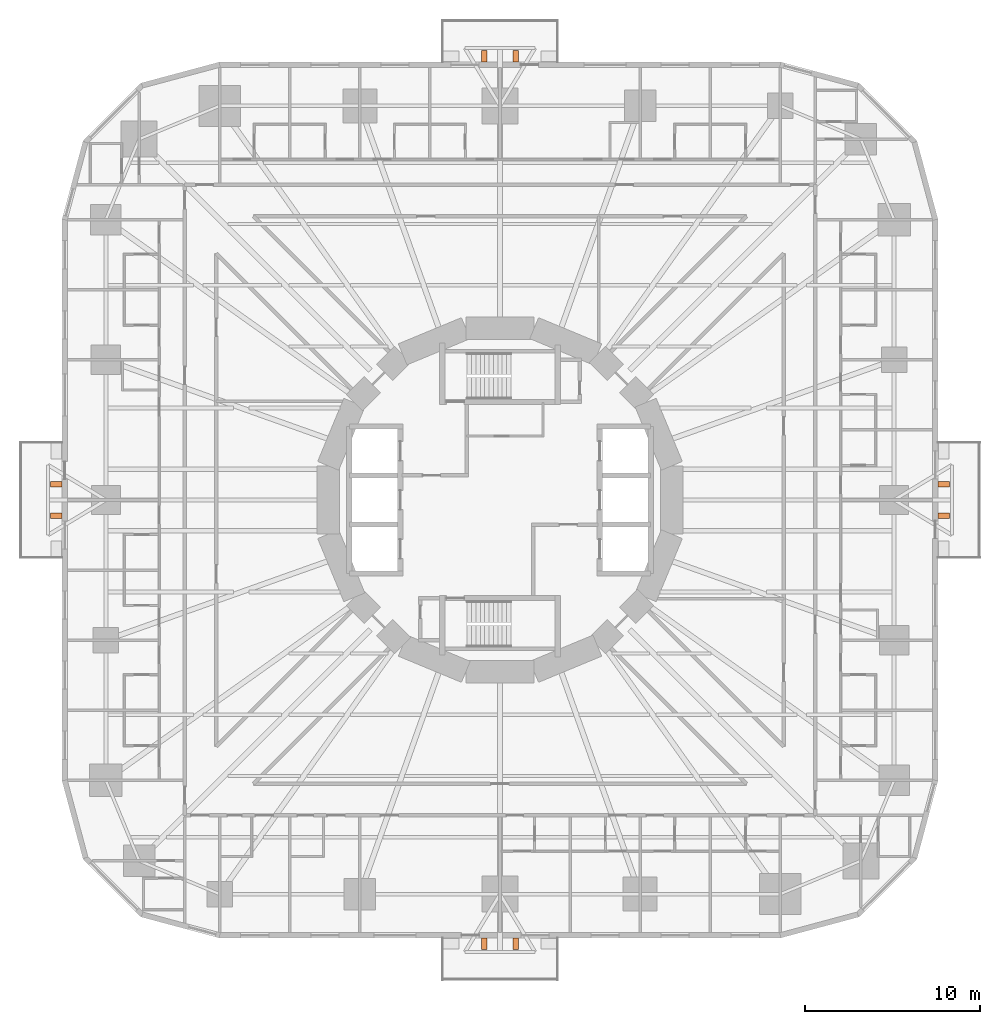
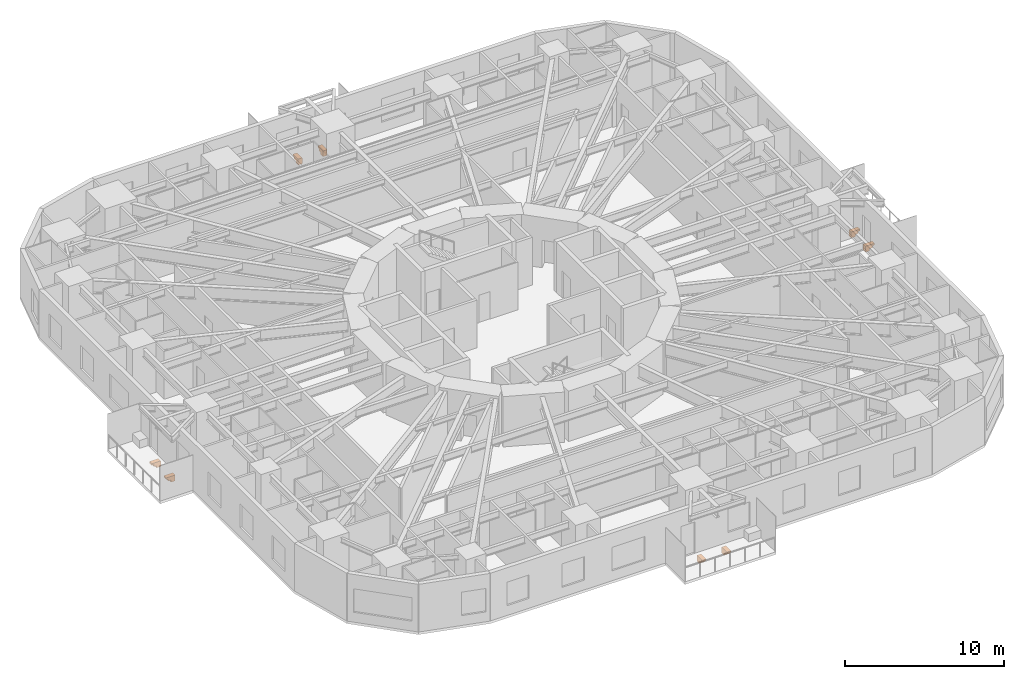
# One storey, part 14 of 14: 8 proxies.
"""IFC4 building model written with IfcOpenShell, lengths in metres."""

from ifc_helpers import new_model, si_unit, direction, frame, origin, place, context, subcontext, project, spatial, polyline, outline, extrude, material, type_object, element, save


model = new_model("IFC4")

# Units and contexts
model_context = context("Model", 3, precision=1e-05, world=origin(), true_north=direction((0.0, 1.0)))
body_context = subcontext(model_context, "Body", "Model", "MODEL_VIEW")
ifc_project = project(units=[si_unit("LENGTHUNIT", "METRE"), si_unit("AREAUNIT", "SQUARE_METRE"), si_unit("VOLUMEUNIT", "CUBIC_METRE"), si_unit("PLANEANGLEUNIT", "RADIAN"), si_unit("MASSUNIT", "GRAM", prefix="KILO")], contexts=[model_context])

# Site, building, storey
site_placement = place(None, origin())
site = spatial("IfcSite", under=ifc_project, at=site_placement, CompositionType="ELEMENT")
building_placement = place(site_placement, origin())
building = spatial("IfcBuilding", under=site, at=building_placement, Name="Nakasero Lantern House", CompositionType="ELEMENT")
storey_placement = place(building_placement, frame((0.0, 0.0, 35.25)))
storey = spatial("IfcBuildingStorey", under=building, at=storey_placement, Name="L08", CompositionType="ELEMENT", Elevation=35.25)

# Proxies
ifc_material = material(Name="Concrete C40/50 precast", Category="concrete")
building_element_proxy_type = type_object("IfcBuildingElementProxyType", Name="Balcony bracket 300", PredefinedType="USERDEFINED", material=ifc_material)
for number, where, z_axis, x_axis, name in (
    (1, (25.0, -0.89990234375, -0.199951171875), (0.0, 0.0, 1.0), (1.0, 0.0, 0.0), "Balcony bracket L08 0A"),
    (2, (25.0, 0.89990234375, -0.199951171875), (0.0, 0.0, 1.0), (1.0, 0.0, 0.0), "Balcony bracket L08 0B"),
    (3, (0.89990234375, 25.0, -0.199951171875), (0.0, 0.0, 1.0), (0.0, 1.0, 0.0), "Balcony bracket L08 1A"),
    (4, (-0.89990234375, 25.0, -0.199951171875), (0.0, 0.0, 1.0), (0.0, 1.0, 0.0), "Balcony bracket L08 1B"),
    (5, (-25.0, 0.89990234375, -0.199951171875), (0.0, 0.0, 1.0), (-1.0, 0.0, 0.0), "Balcony bracket L08 2A"),
    (6, (-25.0, -0.89990234375, -0.199951171875), (0.0, 0.0, 1.0), (-1.0, 0.0, 0.0), "Balcony bracket L08 2B"),
    (7, (-0.89990234375, -25.0, -0.199951171875), (0.0, 0.0, 1.0), (0.0, -1.0, 0.0), "Balcony bracket L08 3A"),
    (8, (0.89990234375, -25.0, -0.199951171875), (0.0, 0.0, 1.0), (0.0, -1.0, 0.0), "Balcony bracket L08 3B"),
):
    element("IfcBuildingElementProxy", number, at=place(storey_placement, frame(where, z_axis=z_axis, x_axis=x_axis)), inside=storey, type_object=building_element_proxy_type, Name=name, ObjectType="BALCONY BRACKET", PredefinedType="USERDEFINED", context=body_context, shape_type="SweptSolid", body=[
        extrude(outline(polyline([(0.0, 0.0), (0.64990234375, 0.0), (0.64990234375, -0.1201171875), (0.5, -0.1201171875), (0.5, -0.280029296875), (0.300048828125, -0.280029296875), (0.300048828125, -0.43994140625), (0.0, -0.43994140625), (0.0, 0.0)])), frame((0.0, 0.14990234375, 0.0), z_axis=(0.0, -1.0, 0.0), x_axis=(1.0, 0.0, 0.0)), (0.0, 0.0, 1.0), 0.300048828125),
    ])

save(model, "model.ifc")
